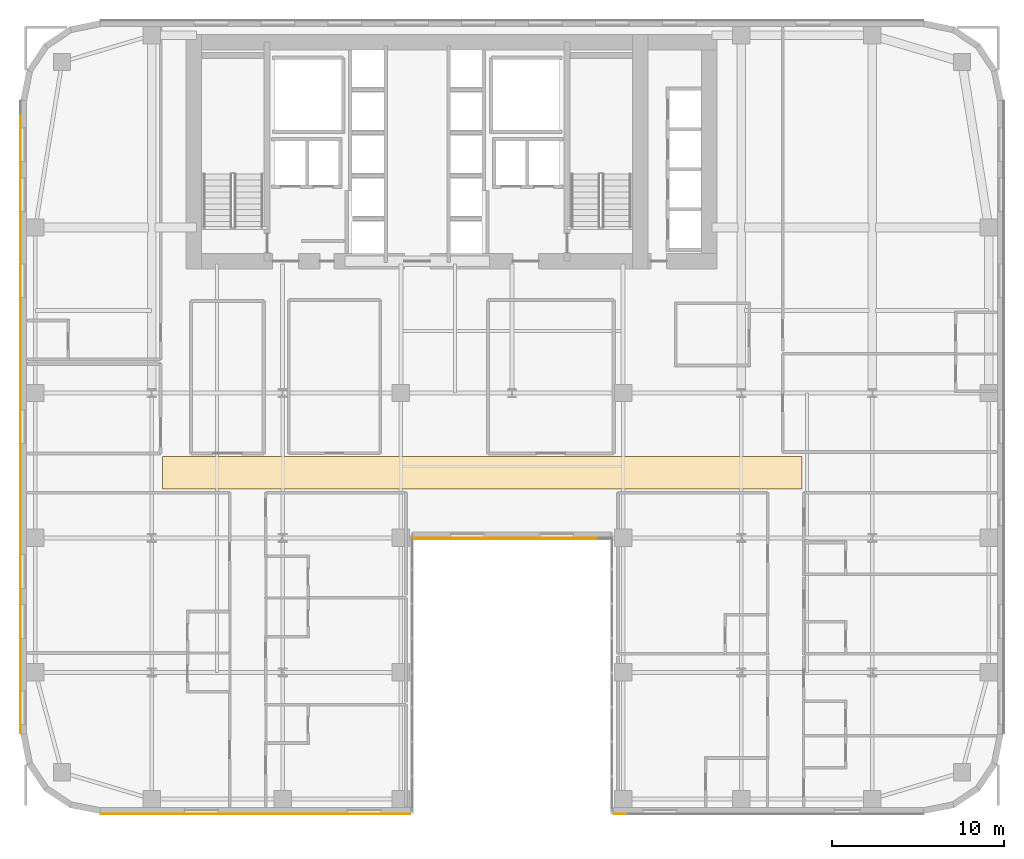
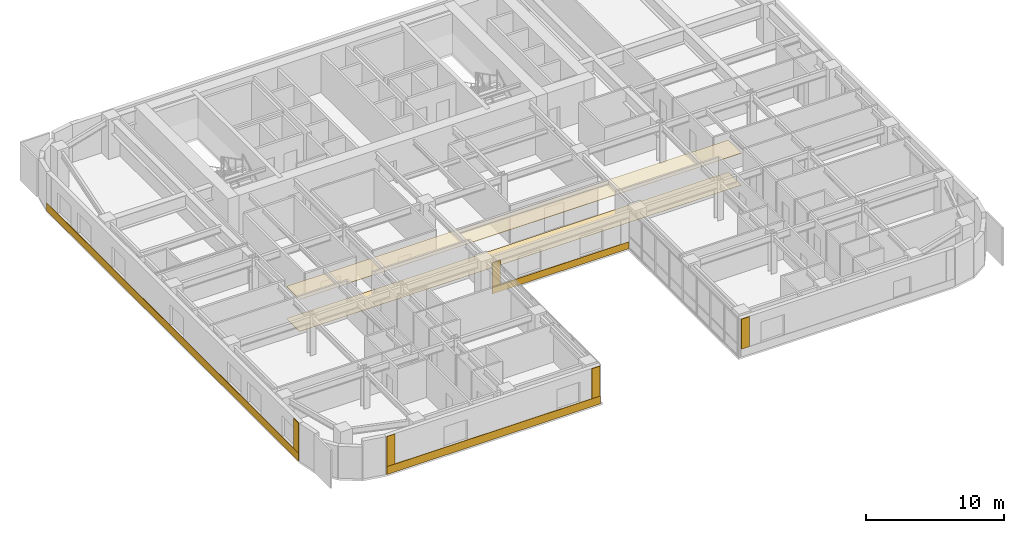
# One storey, part 20 of 24: 10 coverings.
"""IFC4 building model written with IfcOpenShell, lengths in metres."""

from ifc_helpers import new_model, si_unit, direction, frame, origin, place, context, subcontext, project, spatial, polyline, outline, extrude, material, layer, layer_set, type_object, element, save


model = new_model("IFC4")

# Units and contexts
model_context = context("Model", 3, precision=1e-05, world=origin(), true_north=direction((0.0, 1.0)))
body_context = subcontext(model_context, "Body", "Model", "MODEL_VIEW")
ifc_project = project(units=[si_unit("LENGTHUNIT", "METRE"), si_unit("AREAUNIT", "SQUARE_METRE"), si_unit("VOLUMEUNIT", "CUBIC_METRE"), si_unit("PLANEANGLEUNIT", "RADIAN"), si_unit("MASSUNIT", "GRAM", prefix="KILO")], contexts=[model_context])

# Site, building, storey
site_placement = place(None, origin())
site = spatial("IfcSite", under=ifc_project, at=site_placement, CompositionType="ELEMENT")
building_placement = place(site_placement, origin())
building = spatial("IfcBuilding", under=site, at=building_placement, Name="Tolvann Quenvar Hotel", CompositionType="ELEMENT")
storey_placement = place(building_placement, frame((0.0, 0.0, 67.5)))
storey = spatial("IfcBuildingStorey", under=building, at=storey_placement, Name="L16", CompositionType="ELEMENT", Elevation=67.5)

# Coverings
ifc_material_1 = material(Name="Micro-perforated acoustic mineral-fibre and timber-batten suspended ceiling", Category="wood")
ifc_layer_1 = layer(ifc_material_1, 0.0400390625)
ifc_layer_set_1 = layer_set([ifc_layer_1], Name="Micro-perforated acoustic mineral-fibre and timber-batten suspended ceiling")
covering_type_1 = type_object("IfcCoveringType", Name="COV_CEIL_ACOUSTIC_40", PredefinedType="CEILING", material=ifc_layer_set_1)
covering_1_placement = place(storey_placement, frame((0.0, 0.0, 2.830078125)))
element("IfcCovering", 1, at=covering_1_placement, inside=storey, type_object=covering_type_1, Name="Suspended Acoustic Ceiling (Hotel Guest Corridor L16)", PredefinedType="CEILING", context=body_context, shape_type="SweptSolid", body=[
    extrude(outline(polyline([(8.219970703125, 18.820068359375), (45.330078125, 18.820068359375), (45.330078125, 20.72998046875), (8.219970703125, 20.72998046875), (8.219970703125, 18.820068359375)])), origin(), (0.0, 0.0, 1.0), 0.0400390625),
])
ifc_material_2 = material(Name="Kiln-fired red architectural face brick cladding", Category="masonry")
ifc_layer_2 = layer(ifc_material_2, 0.0400390625)
ifc_layer_set_2 = layer_set([ifc_layer_2], Name="Kiln-fired red architectural face brick cladding")
covering_type_2 = type_object("IfcCoveringType", Name="COV_CLAD_BRICK_40", PredefinedType="CLADDING", material=ifc_layer_set_2)
covering_2_placement = place(storey_placement, frame((0.0, 0.0, 0.699951171875)))
element("IfcCovering", 2, at=covering_2_placement, inside=storey, type_object=covering_type_2, Name="Brick Pier Cladding (L16-E04-P1)", PredefinedType="CLADDING", context=body_context, shape_type="SweptSolid", body=[
    extrude(outline(polyline([(4.667236328125, 0.0), (5.3671875, 0.0), (5.3671875, -0.0400390625), (4.667236328125, -0.0400390625), (4.667236328125, 0.0)])), origin(), (0.0, 0.0, 1.0), 2.670166015625),
])
covering_3_placement = place(storey_placement, frame((0.0, 0.0, 0.699951171875)))
element("IfcCovering", 3, at=covering_3_placement, inside=storey, type_object=covering_type_2, Name="Brick Pier Cladding (L16-E04-P2)", PredefinedType="CLADDING", context=body_context, shape_type="SweptSolid", body=[
    extrude(outline(polyline([(21.875, 0.0), (22.574951171875, 0.0), (22.574951171875, -0.0400390625), (21.875, -0.0400390625), (21.875, 0.0)])), origin(), (0.0, 0.0, 1.0), 2.670166015625),
])
covering_4_placement = place(storey_placement, frame((0.0, 0.0, 0.6044921875)))
element("IfcCovering", 4, at=covering_4_placement, inside=storey, type_object=covering_type_2, Name="Brick Pier Cladding (L16-E06-P1)", PredefinedType="CLADDING", context=body_context, shape_type="SweptSolid", body=[
    extrude(outline(polyline([(22.760009765625, 16.0), (23.4599609375, 16.0), (23.4599609375, 15.9599609375), (22.760009765625, 15.9599609375), (22.760009765625, 16.0)])), origin(), (0.0, 0.0, 1.0), 2.1435546875),
])
covering_5_placement = place(storey_placement, frame((0.0, 0.0, 0.699951171875)))
element("IfcCovering", 5, at=covering_5_placement, inside=storey, type_object=covering_type_2, Name="Brick Pier Cladding (L16-E08-P1)", PredefinedType="CLADDING", context=body_context, shape_type="SweptSolid", body=[
    extrude(outline(polyline([(34.425048828125, 0.0), (35.125, 0.0), (35.125, -0.0400390625), (34.425048828125, -0.0400390625), (34.425048828125, 0.0)])), origin(), (0.0, 0.0, 1.0), 2.670166015625),
])
covering_6_placement = place(storey_placement, frame((0.0, 0.0, 0.699951171875)))
element("IfcCovering", 6, at=covering_6_placement, inside=storey, type_object=covering_type_2, Name="Brick Pier Cladding (L16-E23-P2)", PredefinedType="CLADDING", context=body_context, shape_type="SweptSolid", body=[
    extrude(outline(polyline([(0.0, 5.3671875), (0.0, 4.667236328125), (-0.0400390625, 4.667236328125), (-0.0400390625, 5.3671875), (0.0, 5.3671875)])), origin(), (0.0, 0.0, 1.0), 2.670166015625),
])
ifc_material_3 = material(Name="Moulded buff architectural terracotta spandrel cladding", Category="masonry")
ifc_layer_3 = layer(ifc_material_3, 0.0400390625)
ifc_layer_set_3 = layer_set([ifc_layer_3], Name="Moulded buff architectural terracotta spandrel cladding")
covering_type_3 = type_object("IfcCoveringType", Name="COV_CLAD_TERRA_40", PredefinedType="CLADDING", material=ifc_layer_set_3)
covering_7_placement = place(storey_placement, origin())
element("IfcCovering", 7, at=covering_7_placement, inside=storey, type_object=covering_type_3, Name="Terracotta Spandrel Cladding (L16-E04)", PredefinedType="CLADDING", context=body_context, shape_type="SweptSolid", body=[
    extrude(outline(polyline([(4.6572265625, 0.0), (22.5849609375, 0.0), (22.5849609375, -0.0400390625), (4.6572265625, -0.0400390625), (4.6572265625, 0.0)])), origin(), (0.0, 0.0, 1.0), 0.699951171875),
])
covering_8_placement = place(storey_placement, origin())
element("IfcCovering", 8, at=covering_8_placement, inside=storey, type_object=covering_type_3, Name="Terracotta Spandrel Cladding (L16-E06)", PredefinedType="CLADDING", context=body_context, shape_type="SweptSolid", body=[
    extrude(outline(polyline([(22.75, 16.0), (34.25, 16.0), (34.25, 15.9599609375), (22.75, 15.9599609375), (22.75, 16.0)])), origin(), (0.0, 0.0, 1.0), 0.6044921875),
])
covering_9_placement = place(storey_placement, origin())
element("IfcCovering", 9, at=covering_9_placement, inside=storey, type_object=covering_type_3, Name="Terracotta Spandrel Cladding (L16-E23)", PredefinedType="CLADDING", context=body_context, shape_type="SweptSolid", body=[
    extrude(outline(polyline([(0.0, 41.3427734375), (0.0, 4.6572265625), (-0.0400390625, 4.6572265625), (-0.0400390625, 41.3427734375), (0.0, 41.3427734375)])), origin(), (0.0, 0.0, 1.0), 0.699951171875),
])
ifc_material_4 = material(Name="Honed Australian bluestone, terrazzo and engineered oak flooring", Category="masonry")
ifc_layer_4 = layer(ifc_material_4, 0.02001953125)
ifc_layer_set_4 = layer_set([ifc_layer_4], Name="Honed Australian bluestone, terrazzo and engineered oak flooring")
covering_type_4 = type_object("IfcCoveringType", Name="COV_FLOOR_STONE_20", PredefinedType="FLOORING", material=ifc_layer_set_4)
covering_10_placement = place(storey_placement, origin())
element("IfcCovering", 10, at=covering_10_placement, inside=storey, type_object=covering_type_4, Name="Architectural Floor Finish (Hotel Guest Corridor L16)", PredefinedType="FLOORING", context=body_context, shape_type="SweptSolid", body=[
    extrude(outline(polyline([(8.219970703125, 18.820068359375), (45.330078125, 18.820068359375), (45.330078125, 20.72998046875), (8.219970703125, 20.72998046875), (8.219970703125, 18.820068359375)])), origin(), (0.0, 0.0, 1.0), 0.02001953125),
])

save(model, "model.ifc")
